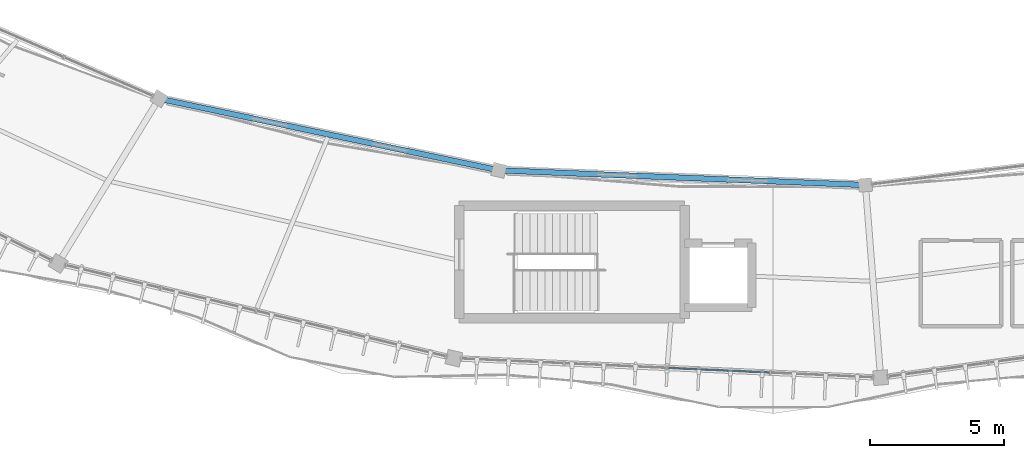
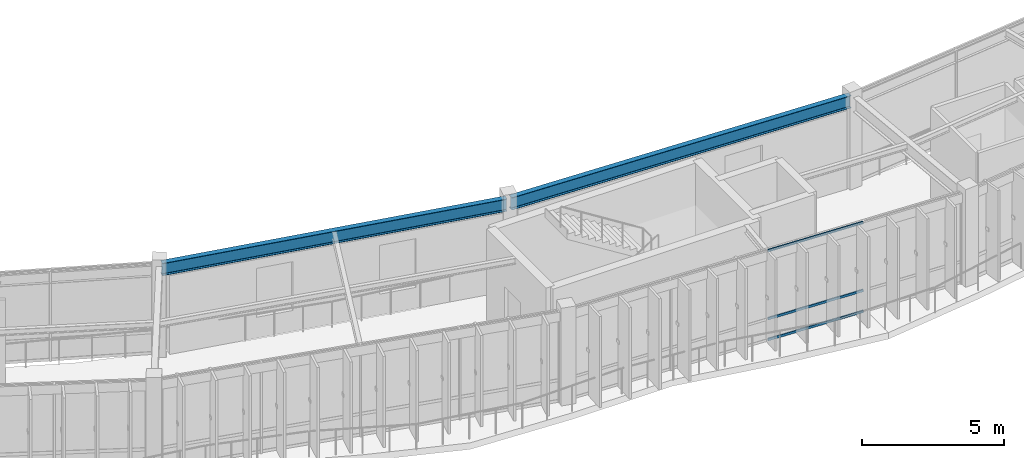
# One storey, part 17 of 79: 3 members, 2 beams, 1 element without a shape of its own.
"""IFC4 building model written with IfcOpenShell, lengths in metres."""

from ifc_helpers import new_model, si_unit, direction, frame, origin, origin_2d, place, context, subcontext, project, spatial, hollow_rectangle, i_section, extrude, material, material_profile, profile_set, type_object, element, aggregate, save


model = new_model("IFC4")

# Units and contexts
model_context = context("Model", 3, precision=1e-05, world=origin(), true_north=direction((0.0, 1.0)))
body_context = subcontext(model_context, "Body", "Model", "MODEL_VIEW")
ifc_project = project(units=[si_unit("LENGTHUNIT", "METRE"), si_unit("AREAUNIT", "SQUARE_METRE"), si_unit("VOLUMEUNIT", "CUBIC_METRE"), si_unit("PLANEANGLEUNIT", "RADIAN"), si_unit("MASSUNIT", "GRAM", prefix="KILO"), si_unit("THERMODYNAMICTEMPERATUREUNIT", "KELVIN"), si_unit("POWERUNIT", "WATT")], contexts=[model_context])

# Site, building, storey
site_placement = place(None, origin())
site = spatial("IfcSite", under=ifc_project, at=site_placement, CompositionType="ELEMENT")
building_placement = place(site_placement, origin())
building = spatial("IfcBuilding", under=site, at=building_placement, Name="Darbajah Civic Hall", CompositionType="ELEMENT")
storey_placement = place(building_placement, frame((0.0, 0.0, 22.199951171875)))
storey = spatial("IfcBuildingStorey", under=building, at=storey_placement, Name="L05", CompositionType="ELEMENT", Elevation=22.199951171875)

# Curtain wall, members
ifc_material_1 = material(Name="Anodised Bronze Aluminium and Low-E Glazing", Category="aluminium")
curtain_wall_type = type_object("IfcCurtainWallType", Name="Unitised Curtain Wall CW-84 15400x3900", PredefinedType="USERDEFINED", material=ifc_material_1)
curtain_wall_placement = place(storey_placement, origin())
curtain_wall = element("IfcCurtainWall", 1, at=curtain_wall_placement, inside=storey, type_object=curtain_wall_type, Name="L05 unitised curtain wall CW-V1O-L05-14", ObjectType="UNITISED CURTAIN WALL", PredefinedType="USERDEFINED")
ifc_material_2 = material(Name="Anodised Bronze Aluminium", Category="aluminium")
ifc_material_profile_1 = material_profile(ifc_material_2, hollow_rectangle(XDim=0.054931640625, YDim=0.10009765625, WallThickness=0.0029296875, at=origin_2d()), Name="ALU TRANSOM 55x100")
ifc_profile_set_1 = profile_set([ifc_material_profile_1], Name="Anodised Bronze Aluminium")
member_type = type_object("IfcMemberType", Name="ALU TRANSOM 55x100", PredefinedType="USERDEFINED", material=ifc_profile_set_1)
member_1_placement = place(storey_placement, frame((85.180419921875, 60.75146484375, 0.050048828125), z_axis=(0.998964271374, -0.045501478199, 0.0), x_axis=(0.045501478199, 0.998964271374, 0.0)))
member_1 = element("IfcMember", 2, at=member_1_placement, type_object=member_type, Name="CW-V1O-L05-14 transom 3.1", ObjectType="TRANSOM", PredefinedType="USERDEFINED", context=body_context, shape_type="SweptSolid", body=[
    extrude(hollow_rectangle(XDim=0.054931640625, YDim=0.10009765625, WallThickness=0.0029296875, at=origin_2d()), origin(), (0.0, 0.0, 1.0), 3.77734375),
])
member_2_placement = place(storey_placement, frame((85.180419921875, 60.75146484375, 0.949951171875), z_axis=(0.998964271374, -0.045501478199, 0.0), x_axis=(0.045501478199, 0.998964271374, 0.0)))
member_2 = element("IfcMember", 3, at=member_2_placement, type_object=member_type, Name="CW-V1O-L05-14 transom 3.2", ObjectType="TRANSOM", PredefinedType="USERDEFINED", context=body_context, shape_type="SweptSolid", body=[
    extrude(hollow_rectangle(XDim=0.054931640625, YDim=0.10009765625, WallThickness=0.0029296875, at=origin_2d()), origin(), (0.0, 0.0, 1.0), 3.77734375),
])
member_3_placement = place(storey_placement, frame((85.180419921875, 60.75146484375, 3.8701171875), z_axis=(0.998964271374, -0.045501478199, 0.0), x_axis=(0.045501478199, 0.998964271374, 0.0)))
member_3 = element("IfcMember", 4, at=member_3_placement, type_object=member_type, Name="CW-V1O-L05-14 transom 3.3", ObjectType="TRANSOM", PredefinedType="USERDEFINED", context=body_context, shape_type="SweptSolid", body=[
    extrude(hollow_rectangle(XDim=0.054931640625, YDim=0.10009765625, WallThickness=0.0029296875, at=origin_2d()), origin(), (0.0, 0.0, 1.0), 3.77734375),
])
aggregate(curtain_wall, [member_1, member_2, member_3])

# Beams
ifc_material_3 = material(Name="Steel S355JR", Category="steel")
ifc_material_profile_2 = material_profile(ifc_material_3, i_section(OverallWidth=0.209228515625, OverallDepth=0.533203125, WebThickness=0.010009765625, FlangeThickness=0.015625, FilletRadius=0.0126953125, at=origin_2d()), Name="UB 533x210x92")
ifc_profile_set_2 = profile_set([ifc_material_profile_2], Name="Steel S355JR")
beam_type = type_object("IfcBeamType", Name="UB 533x210x92", PredefinedType="BEAM", material=ifc_profile_set_2)
beam_1_placement = place(storey_placement, frame((66.29296875, 70.76953125, 3.653564453125), z_axis=(0.97848162244, -0.206333987862, 0.0), x_axis=(0.206333987862, 0.97848162244, 0.0)))
element("IfcBeam", 5, at=beam_1_placement, inside=storey, type_object=beam_type, Name="L05 beam SB-533", PredefinedType="BEAM", context=body_context, shape_type="SweptSolid", body=[
    extrude(i_section(OverallWidth=0.209228515625, OverallDepth=0.533203125, WebThickness=0.010009765625, FlangeThickness=0.015625, FilletRadius=0.0126953125, at=origin_2d()), origin(), (0.0, 0.0, 1.0), 12.77880859375),
])
beam_2_placement = place(storey_placement, frame((78.955078125, 68.113037109375, 3.653564453125), z_axis=(0.999198127678, -0.04003875178, 0.0), x_axis=(0.04003875178, 0.999198127678, 0.0)))
element("IfcBeam", 6, at=beam_2_placement, inside=storey, type_object=beam_type, Name="L05 beam SB-533", PredefinedType="BEAM", context=body_context, shape_type="SweptSolid", body=[
    extrude(i_section(OverallWidth=0.209228515625, OverallDepth=0.533203125, WebThickness=0.010009765625, FlangeThickness=0.015625, FilletRadius=0.0126953125, at=origin_2d()), origin(), (0.0, 0.0, 1.0), 13.51220703125),
])

save(model, "model.ifc")
